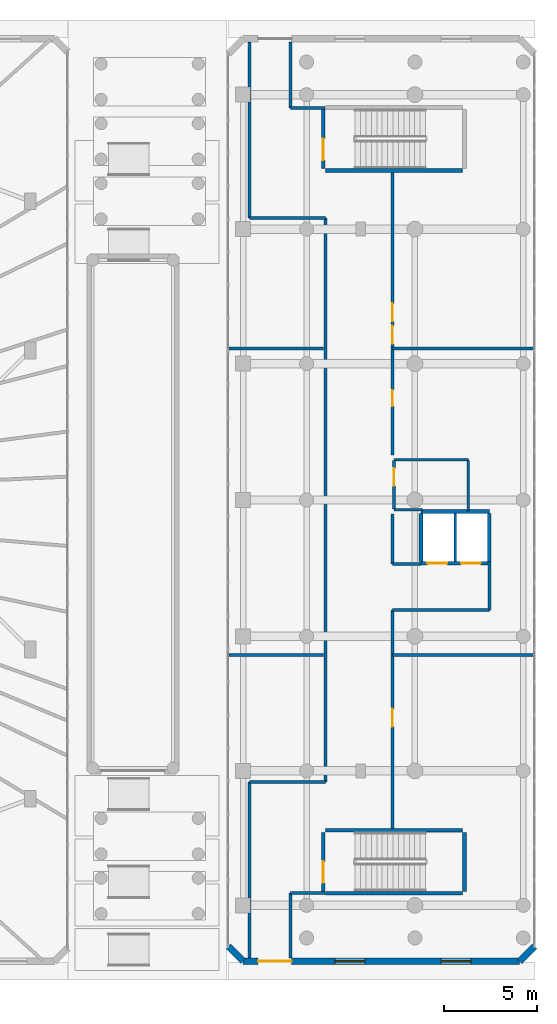
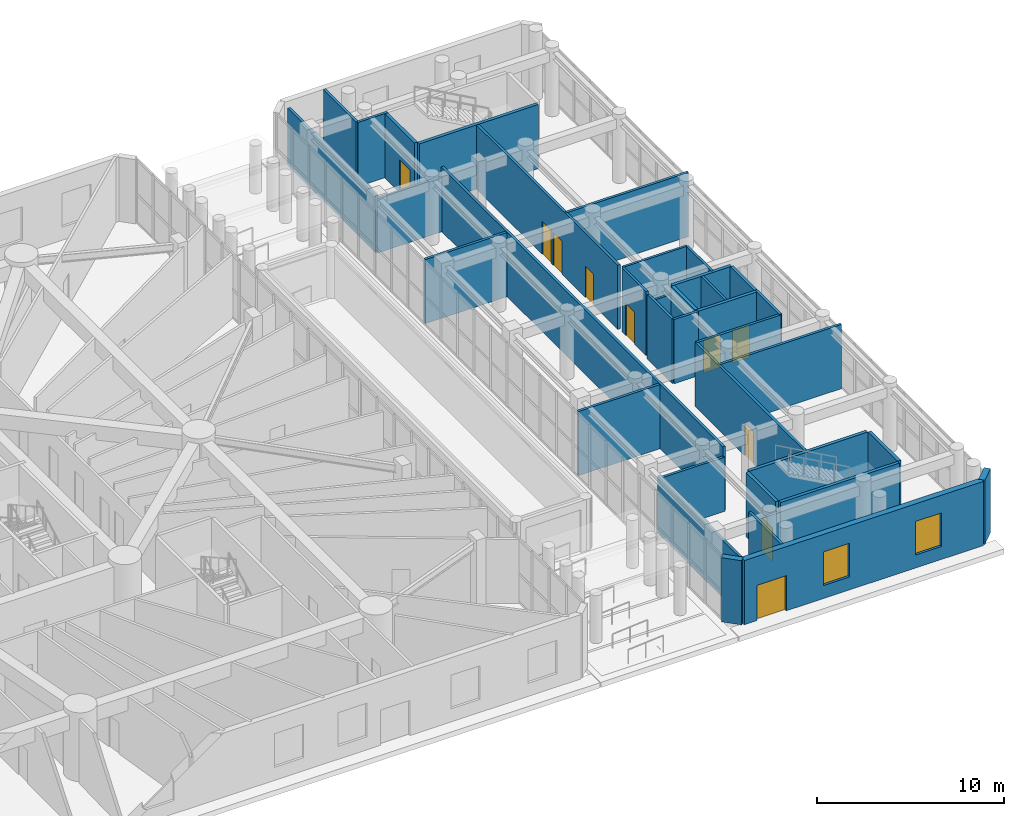
# One storey, part 20 of 30: 37 walls, 10 doors, 2 windows, 12 openings.
"""IFC4 building model written with IfcOpenShell, lengths in metres."""

import ifcopenshell
import ifcopenshell.guid

model = None  # the IFC model being written
_history = None  # IfcOwnerHistory: only IFC2X3 demands one
_inside = {}  # id of a spatial element -> (the spatial element, [elements in it])
_under = {}  # id of a project, library or spatial element -> (it, [spatial elements below it])
_declared = {}  # id of a project -> (the project, [libraries it declares])
_typed = {}  # id of a type object -> (the type object, [elements of that type])
_made_of = {}  # id of a material, layer set ... -> (it, [elements and type objects made of it])


def new_model(schema):
    """Start an empty IFC model of exactly this schema.

    Asked for "IFC4X3", IfcOpenShell would pick the latest addendum, in which some entities
    have other attributes; the version numbers below select the first issue.
    IFC2X3 requires an IfcOwnerHistory on every rooted entity: one is made here for all.
    """
    global model, _history
    if schema == "IFC4X3":
        model = ifcopenshell.file(schema_version=(4, 3, 0, 0))
    else:
        model = ifcopenshell.file(schema=schema)
    _inside.clear()
    _under.clear()
    _declared.clear()
    _typed.clear()
    _made_of.clear()
    _history = None
    if model.schema == "IFC2X3":
        org = make("IfcOrganization", Name="unknown")
        user = make(
            "IfcPersonAndOrganization",
            ThePerson=make("IfcPerson", FamilyName="unknown"),
            TheOrganization=org,
        )
        app = make(
            "IfcApplication",
            ApplicationDeveloper=org,
            Version="unknown",
            ApplicationFullName="unknown",
            ApplicationIdentifier="unknown",
        )
        _history = make(
            "IfcOwnerHistory",
            OwningUser=user,
            OwningApplication=app,
            ChangeAction="ADDED",
            CreationDate=0,
        )
    return model


def make(cls, **values):
    """One entity of the class cls with the attributes given. An attribute that is None is left unset."""
    return model.create_entity(
        cls, **{name: value for name, value in values.items() if value is not None}
    )


def rooted(cls, **values):
    """An entity with a GlobalId (a new one), such as an element, a storey or a relation."""
    return make(cls, GlobalId=ifcopenshell.guid.new(), OwnerHistory=_history, **values)


def si_unit(unit_type, name, prefix=None):
    """IfcSIUnit, for example si_unit("LENGTHUNIT", "METRE", prefix="MILLI")."""
    return make("IfcSIUnit", UnitType=unit_type, Prefix=prefix, Name=name)


def assignment(units):
    """IfcUnitAssignment: the units of a project."""
    return None if units is None else make("IfcUnitAssignment", Units=units)


def point(xyz):
    """IfcCartesianPoint."""
    return None if xyz is None else make("IfcCartesianPoint", Coordinates=xyz)


def direction(xyz):
    """IfcDirection."""
    return None if xyz is None else make("IfcDirection", DirectionRatios=xyz)


def frame(location, z_axis=None, x_axis=None):
    """IfcAxis2Placement3D, a coordinate frame: its origin and axes. An axis left out is left unset."""
    return make(
        "IfcAxis2Placement3D",
        Location=point(location),
        Axis=direction(z_axis),
        RefDirection=direction(x_axis),
    )


def frame_2d(location, x_axis=None):
    """IfcAxis2Placement2D, a coordinate frame in the plane: its origin and x axis."""
    return make(
        "IfcAxis2Placement2D", Location=point(location), RefDirection=direction(x_axis)
    )


def origin():
    """The frame at (0, 0, 0) with its axes left unset."""
    return frame((0.0, 0.0, 0.0))


def origin_with_axes():
    """The frame at (0, 0, 0) with the z axis (0, 0, 1) and the x axis (1, 0, 0) written out."""
    return frame((0.0, 0.0, 0.0), z_axis=(0.0, 0.0, 1.0), x_axis=(1.0, 0.0, 0.0))


def place(relative_to, where):
    """IfcLocalPlacement: puts the frame where relative to a parent placement (None: the world)."""
    return make(
        "IfcLocalPlacement", PlacementRelTo=relative_to, RelativePlacement=where
    )


def context(
    kind, dimensions, precision=None, world=None, true_north=None, identifier=None
):
    """IfcGeometricRepresentationContext, for example the 3D "Model" context."""
    return make(
        "IfcGeometricRepresentationContext",
        ContextIdentifier=identifier,
        ContextType=kind,
        CoordinateSpaceDimension=dimensions,
        Precision=precision,
        WorldCoordinateSystem=world,
        TrueNorth=true_north,
    )


def subcontext(parent, identifier, kind, view, scale=None):
    """IfcGeometricRepresentationSubContext, for example "Body" below "Model"."""
    return make(
        "IfcGeometricRepresentationSubContext",
        ContextIdentifier=identifier,
        ContextType=kind,
        ParentContext=parent,
        TargetScale=scale,
        TargetView=view,
    )


def project(units=None, contexts=None):
    """IfcProject with its units and contexts."""
    return rooted(
        "IfcProject",
        Name="project",
        RepresentationContexts=contexts,
        UnitsInContext=assignment(units),
    )


def spatial(cls, under=None, at=None, **own):
    """A site, building, storey or space (cls), placed at a placement, below another one or the project."""
    s = rooted(cls, ObjectPlacement=at, **own)
    if under is not None:
        _under.setdefault(under.id(), (under, []))[1].append(s)
    return s


def profile(cls, at=None, kind="AREA", **sizes):
    """A parametric profile (cls). Its sizes go by their IFC names, for example OverallWidth=200.0."""
    return make(cls, ProfileType=kind, Position=at, **sizes)


def rectangle(**sizes):
    """IfcRectangleProfileDef."""
    return profile("IfcRectangleProfileDef", **sizes)


def extrude(swept, where, along, depth):
    """IfcExtrudedAreaSolid: the profile swept, set in the frame where, extruded along a direction by depth."""
    return make(
        "IfcExtrudedAreaSolid",
        SweptArea=swept,
        Position=where,
        ExtrudedDirection=direction(along),
        Depth=depth,
    )


def shape(context_of_items, identifier, shape_type, items):
    """IfcShapeRepresentation: the items that make up one representation, for example the "Body"."""
    return make(
        "IfcShapeRepresentation",
        ContextOfItems=context_of_items,
        RepresentationIdentifier=identifier,
        RepresentationType=shape_type,
        Items=items,
    )


def source(mapping_origin, context_of_items, identifier, shape_type, items):
    """IfcRepresentationMap: a shape defined once, which mapped items show again and again."""
    return make(
        "IfcRepresentationMap",
        MappingOrigin=mapping_origin,
        MappedRepresentation=shape(context_of_items, identifier, shape_type, items),
    )


def transform(
    local_origin,
    x_axis=None,
    y_axis=None,
    z_axis=None,
    scale=None,
    scale2=None,
    scale3=None,
    uniform=True,
):
    """IfcCartesianTransformationOperator3D, or its non-uniform kind. x_axis, y_axis, z_axis: its Axis1, 2, 3."""
    if uniform:
        return make(
            "IfcCartesianTransformationOperator3D",
            Axis1=direction(x_axis),
            Axis2=direction(y_axis),
            LocalOrigin=point(local_origin),
            Scale=scale,
            Axis3=direction(z_axis),
        )
    return make(
        "IfcCartesianTransformationOperator3DnonUniform",
        Axis1=direction(x_axis),
        Axis2=direction(y_axis),
        LocalOrigin=point(local_origin),
        Scale=scale,
        Axis3=direction(z_axis),
        Scale2=scale2,
        Scale3=scale3,
    )


def mapped(mapping_source, mapping_target):
    """IfcMappedItem: shows the shape of a source again, moved by a transform."""
    return make(
        "IfcMappedItem", MappingSource=mapping_source, MappingTarget=mapping_target
    )


def material(Name=None, Category=None):
    """IfcMaterial."""
    return make("IfcMaterial", Name=Name, Category=Category)


def layer(
    of_material, thickness, ventilated=None, Name=None, Category=None, Priority=None
):
    """IfcMaterialLayer: one layer of a wall or slab, of a material (None: an air gap)."""
    return make(
        "IfcMaterialLayer",
        Material=of_material,
        LayerThickness=thickness,
        IsVentilated=ventilated,
        Name=Name,
        Category=Category,
        Priority=Priority,
    )


def layer_set(layers, Name=None):
    """IfcMaterialLayerSet."""
    return make("IfcMaterialLayerSet", MaterialLayers=layers, LayerSetName=Name)


def made_of(thing, what):
    """Note that an element or type object is made of a material, layer set ...; save() writes the relation."""
    if what is not None:
        _made_of.setdefault(what.id(), (what, []))[1].append(thing)
    return thing


def type_object(cls, material=None, **own):
    """A type object (cls), such as IfcWallType, which elements share."""
    return made_of(rooted(cls, **own), material)


def element(
    cls,
    number,
    at=None,
    inside=None,
    cuts=None,
    type_object=None,
    material=None,
    context=None,
    identifier="Body",
    shape_type=None,
    held_by="IfcProductDefinitionShape",
    body=None,
    shapes=None,
    **own,
):
    """One element of the class cls, such as IfcWall. Its Tag is "e" and its number.

    at: its placement. inside: the storey or other place that contains it. cuts: it is an
    opening in that element (IfcRelVoidsElement). A single representation is given by context,
    identifier, shape_type and body (its items); several are given by shapes. held_by: the class
    of the entity that holds the representations. save() writes the other relations.
    """
    e = rooted(cls, Tag="e%d" % number, ObjectPlacement=at, **own)
    if body is not None:
        shapes = [shape(context, identifier, shape_type, body)]
    if shapes is not None:
        e.Representation = make(held_by, Representations=shapes)
    if inside is not None:
        _inside.setdefault(inside.id(), (inside, []))[1].append(e)
    if cuts is not None:
        rooted(
            "IfcRelVoidsElement", RelatingBuildingElement=cuts, RelatedOpeningElement=e
        )
    if type_object is not None:
        _typed.setdefault(type_object.id(), (type_object, []))[1].append(e)
    return made_of(e, material)


def fill(opening, filler):
    """IfcRelFillsElement: the door or window that sits in an opening."""
    return rooted(
        "IfcRelFillsElement",
        RelatingOpeningElement=opening,
        RelatedBuildingElement=filler,
    )


def aggregate(whole, parts):
    """IfcRelAggregates: a whole, such as a stair, and the parts it consists of."""
    return rooted("IfcRelAggregates", RelatingObject=whole, RelatedObjects=parts)


def save(model, path):
    """Write the relations noted so far, then the file.

    IfcRelAggregates (storeys below a building ...), IfcRelContainedInSpatialStructure (elements
    in a storey), IfcRelDefinesByType, IfcRelAssociatesMaterial and IfcRelDeclares: one each for
    every whole, place, type object, material and project.
    """
    for whole, parts in _under.values():
        aggregate(whole, parts)
    for where, things in _inside.values():
        rooted(
            "IfcRelContainedInSpatialStructure",
            RelatedElements=things,
            RelatingStructure=where,
        )
    for kind, things in _typed.values():
        rooted("IfcRelDefinesByType", RelatedObjects=things, RelatingType=kind)
    for what, things in _made_of.values():
        rooted("IfcRelAssociatesMaterial", RelatedObjects=things, RelatingMaterial=what)
    for by, libraries in _declared.values():
        rooted("IfcRelDeclares", RelatingContext=by, RelatedDefinitions=libraries)
    model.write(path)


model = new_model("IFC4")

# Units and contexts
model_context = context("Model", 3, precision=1e-05, world=origin(), true_north=direction((0.0, 1.0)))
body_context = subcontext(model_context, "Body", "Model", "MODEL_VIEW")
ifc_project = project(units=[si_unit("LENGTHUNIT", "METRE"), si_unit("AREAUNIT", "SQUARE_METRE"), si_unit("VOLUMEUNIT", "CUBIC_METRE"), si_unit("PLANEANGLEUNIT", "RADIAN"), si_unit("MASSUNIT", "GRAM", prefix="KILO")], contexts=[model_context])

# Site, building, storey
site_placement = place(None, origin())
site = spatial("IfcSite", under=ifc_project, at=site_placement, CompositionType="ELEMENT")
building_placement = place(site_placement, origin())
building = spatial("IfcBuilding", under=site, at=building_placement, Name="Karkom Vertical University and Central Library", CompositionType="ELEMENT")
storey_placement = place(building_placement, origin())
storey = spatial("IfcBuildingStorey", under=building, at=storey_placement, Name="L00", CompositionType="ELEMENT", Elevation=0.0)

# Wall, openings, door, windows
ifc_material_1 = material(Name="Brick masonry 360mm insulated cavity", Category="masonry")
ifc_layer_1 = layer(ifc_material_1, 0.360107421875)
ifc_layer_set_1 = layer_set([ifc_layer_1], Name="Brick masonry 360mm insulated cavity")
wall_type_1 = type_object("IfcWallType", Name="ENV-WL-BRK-360", PredefinedType="SOLIDWALL", material=ifc_layer_set_1)
wall_1_placement = place(storey_placement, frame((81.0, 1.800048828125, 0.0), z_axis=(0.0, 0.0, 1.0), x_axis=(-1.0, 0.0, 0.0)))
wall_1 = element("IfcWall", 1, at=wall_1_placement, inside=storey, type_object=wall_type_1, Name="Level 00 LIB Terracotta Brick Facade Wall 01", PredefinedType="SOLIDWALL", context=body_context, shape_type="SweptSolid", body=[
    extrude(rectangle(XDim=14.800048828125, YDim=0.360107421875, at=frame_2d((7.39990234375, 0.0))), origin(), (0.0, 0.0, 1.0), 4.199951171875),
])
opening_1_placement = place(wall_1_placement, frame((8.284912109375, 0.0, 0.85009765625)))
opening_1 = element("IfcOpeningElement", 2, at=opening_1_placement, cuts=wall_1, Name="Opening WN-02", PredefinedType="OPENING", context=body_context, shape_type="SweptSolid", body=[
    extrude(rectangle(XDim=1.60009765625, YDim=2.199951171875, at=frame_2d((0.800048828125, 1.10009765625))), frame((0.0, 0.18994140625, 0.0), z_axis=(0.0, -1.0, 0.0), x_axis=(1.0, 0.0, 0.0)), (0.0, 0.0, 1.0), 0.380126953125),
])
opening_2_placement = place(wall_1_placement, frame((2.594970703125, 0.0, 0.85009765625)))
opening_2 = element("IfcOpeningElement", 3, at=opening_2_placement, cuts=wall_1, Name="Opening WN-02", PredefinedType="OPENING", context=body_context, shape_type="SweptSolid", body=[
    extrude(rectangle(XDim=1.60009765625, YDim=2.199951171875, at=frame_2d((0.800048828125, 1.10009765625))), frame((0.0, 0.18994140625, 0.0), z_axis=(0.0, -1.0, 0.0), x_axis=(1.0, 0.0, 0.0)), (0.0, 0.0, 1.0), 0.380126953125),
])
opening_3_placement = place(wall_1_placement, frame((12.199951171875, 0.0, 0.0)))
opening_3 = element("IfcOpeningElement", 4, at=opening_3_placement, cuts=wall_1, Name="Opening ED-1", PredefinedType="OPENING", context=body_context, shape_type="SweptSolid", body=[
    extrude(rectangle(XDim=1.800048828125, YDim=2.300048828125, at=frame_2d((0.89990234375, 1.14990234375))), frame((0.0, 0.18994140625, 0.0), z_axis=(0.0, -1.0, 0.0), x_axis=(1.0, 0.0, 0.0)), (0.0, 0.0, 1.0), 0.380126953125),
])
ifc_material_2 = material(Name="Thermally broken glazed steel exit door", Category="steel")
door_type_1 = type_object("IfcDoorType", Name="ENV-DR-ED1", OperationType="DOUBLE_DOOR_SINGLE_SWING", PredefinedType="DOOR", material=ifc_material_2)
shared_shape_1 = source(origin_with_axes(), body_context, "Body", "SweptSolid", [
    extrude(rectangle(XDim=1.800048828125, YDim=2.300048828125, at=frame_2d((0.89990234375, 1.14990234375))), frame((0.0, 0.02490234375, 0.0), z_axis=(0.0, -1.0, 0.0), x_axis=(1.0, 0.0, 0.0)), (0.0, 0.0, 1.0), 0.050048828125),
])
door_1_placement = place(opening_3_placement, origin())
door_1 = element("IfcDoor", 5, at=door_1_placement, inside=storey, type_object=door_type_1, Name="Level 00 Final Ground Exit Door LIB-ED1", OperationType="DOUBLE_DOOR_SINGLE_SWING", OverallHeight=2.300048828125, OverallWidth=1.800048828125, PredefinedType="DOOR", context=body_context, shape_type="MappedRepresentation", body=[
    mapped(shared_shape_1, transform((0.0, 0.0, 0.0), scale=1.0)),
])
fill(opening_3, door_1)
ifc_material_3 = material(Name="Aluminium thermal-break frame with solar-control IGU", Category="aluminium")
window_type = type_object("IfcWindowType", Name="ENV-WIN-WN-02", PartitioningType="SINGLE_PANEL", PredefinedType="WINDOW", material=ifc_material_3)
shared_shape_2 = source(origin_with_axes(), body_context, "Body", "SweptSolid", [
    extrude(rectangle(XDim=1.60009765625, YDim=2.199951171875, at=frame_2d((0.800048828125, 1.10009765625))), frame((0.0, 0.030029296875, 0.0), z_axis=(0.0, -1.0, 0.0), x_axis=(1.0, 0.0, 0.0)), (0.0, 0.0, 1.0), 0.06005859375),
])
window_1_placement = place(opening_1_placement, origin())
window_1 = element("IfcWindow", 6, at=window_1_placement, inside=storey, type_object=window_type, Name="Level 00 LIB Punched Window 01", OverallHeight=2.199951171875, OverallWidth=1.60009765625, PartitioningType="SINGLE_PANEL", PredefinedType="WINDOW", context=body_context, shape_type="MappedRepresentation", body=[
    mapped(shared_shape_2, transform((0.0, 0.0, 0.0), scale=1.0)),
])
fill(opening_1, window_1)
window_2_placement = place(opening_2_placement, origin())
window_2 = element("IfcWindow", 7, at=window_2_placement, inside=storey, type_object=window_type, Name="Level 00 LIB Punched Window 02", OverallHeight=2.199951171875, OverallWidth=1.60009765625, PartitioningType="SINGLE_PANEL", PredefinedType="WINDOW", context=body_context, shape_type="MappedRepresentation", body=[
    mapped(shared_shape_2, transform((0.0, 0.0, 0.0), scale=1.0)),
])
fill(opening_2, window_2)

# Walls
for number, where, z_axis, x_axis, name in (
    (8, (81.0, 1.800048828125, 0.0), (0.0, 0.0, 1.0), (0.707106781187, 0.707106781187, 0.0), "Level 00 LIB Terracotta Brick Facade Wall 02"),
    (9, (65.39990234375, 2.60009765625, 0.0), (0.0, 0.0, 1.0), (0.707106781187, -0.707106781187, 0.0), "Level 00 LIB Terracotta Brick Facade Wall 08"),
):
    element("IfcWall", number, at=place(storey_placement, frame(where, z_axis=z_axis, x_axis=x_axis)), inside=storey, type_object=wall_type_1, Name=name, PredefinedType="SOLIDWALL", context=body_context, shape_type="SweptSolid", body=[
        extrude(rectangle(XDim=1.13134765625, YDim=0.360107421875, at=frame_2d((0.565673828125, 0.0))), origin(), (0.0, 0.0, 1.0), 4.199951171875),
    ])
ifc_material_4 = material(Name="Insulated metal-stud drywall 160mm", Category="gypsum")
ifc_layer_2 = layer(ifc_material_4, 0.159912109375)
ifc_layer_set_2 = layer_set([ifc_layer_2], Name="Insulated metal-stud drywall 160mm")
wall_type_2 = type_object("IfcWallType", Name="INT-WL-COR-160", PredefinedType="PARTITIONING", material=ifc_layer_set_2)
for number, where, z_axis, x_axis, name in (
    (10, (74.199951171875, 18.199951171875, 0.0), (0.0, 0.0, 1.0), (1.0, 0.0, 0.0), "Level 00 Interior Partition Wall L00-LW-DIV1E"),
    (11, (74.199951171875, 34.60009765625, 0.0), (0.0, 0.0, 1.0), (1.0, 0.0, 0.0), "Level 00 Interior Partition Wall L00-LW-DIV2E"),
):
    element("IfcWall", number, at=place(storey_placement, frame(where, z_axis=z_axis, x_axis=x_axis)), inside=storey, type_object=wall_type_2, Name=name, PredefinedType="PARTITIONING", context=body_context, shape_type="SweptSolid", body=[
        extrude(rectangle(XDim=7.545166015625, YDim=0.159912109375, at=frame_2d((3.7724609375, 0.0))), origin(), (0.0, 0.0, 1.0), 4.199951171875),
    ])
for number, where, z_axis, x_axis, name in (
    (12, (65.455078125, 18.199951171875, 0.0), (0.0, 0.0, 1.0), (1.0, 0.0, 0.0), "Level 00 Interior Partition Wall L00-LW-DIV1"),
    (13, (65.455078125, 34.60009765625, 0.0), (0.0, 0.0, 1.0), (1.0, 0.0, 0.0), "Level 00 Interior Partition Wall L00-LW-DIV2"),
):
    element("IfcWall", number, at=place(storey_placement, frame(where, z_axis=z_axis, x_axis=x_axis)), inside=storey, type_object=wall_type_2, Name=name, PredefinedType="PARTITIONING", context=body_context, shape_type="SweptSolid", body=[
        extrude(rectangle(XDim=5.06005859375, YDim=0.159912109375, at=frame_2d((2.530029296875, 0.0))), origin(), (0.0, 0.0, 1.0), 4.199951171875),
    ])
ifc_layer_3 = layer(ifc_material_4, 0.159912109375)
ifc_layer_set_3 = layer_set([ifc_layer_3], Name="Insulated metal-stud drywall 160mm")
wall_type_3 = type_object("IfcWallType", Name="INT-WL-COR-160F", PredefinedType="PARTITIONING", material=ifc_layer_set_3)
wall_2_placement = place(storey_placement, frame((70.60009765625, 11.39990234375, 0.0), z_axis=(0.0, 0.0, 1.0), x_axis=(0.0, 1.0, 0.0)))
element("IfcWall", 14, at=wall_2_placement, inside=storey, type_object=wall_type_3, Name="Level 00 Interior Partition Wall L00-LBCW-CW-002", PredefinedType="PARTITIONING", context=body_context, shape_type="SweptSolid", body=[
    extrude(rectangle(XDim=30.2001953125, YDim=0.159912109375, at=frame_2d((15.10009765625, 0.0))), origin(), (0.0, 0.0, 1.0), 4.199951171875),
])

# Wall, openings, doors
wall_3_placement = place(storey_placement, frame((74.199951171875, 44.0380859375, 0.0), z_axis=(0.0, 0.0, 1.0), x_axis=(0.0, -1.0, 0.0)))
wall_3 = element("IfcWall", 15, at=wall_3_placement, inside=storey, type_object=wall_type_3, Name="Level 00 Interior Partition Wall L00-LBCW-CW-007", PredefinedType="PARTITIONING", context=body_context, shape_type="SweptSolid", body=[
    extrude(rectangle(XDim=15.13818359375, YDim=0.159912109375, at=frame_2d((7.569091796875, 0.0))), origin(), (0.0, 0.0, 1.0), 4.199951171875),
])
opening_4_placement = place(wall_3_placement, frame((8.215576171875, 0.0, 0.0)))
opening_4 = element("IfcOpeningElement", 16, at=opening_4_placement, cuts=wall_3, Name="Opening FD-RM2", PredefinedType="OPENING", context=body_context, shape_type="SweptSolid", body=[
    extrude(rectangle(XDim=0.9599609375, YDim=2.14990234375, at=frame_2d((0.47998046875, 1.074951171875))), frame((0.0, 0.08984375, 0.0), z_axis=(0.0, -1.0, 0.0), x_axis=(1.0, 0.0, 0.0)), (0.0, 0.0, 1.0), 0.179931640625),
])
opening_5_placement = place(wall_3_placement, frame((7.010009765625, 0.0, 0.0)))
opening_5 = element("IfcOpeningElement", 17, at=opening_5_placement, cuts=wall_3, Name="Opening FD-RM2", PredefinedType="OPENING", context=body_context, shape_type="SweptSolid", body=[
    extrude(rectangle(XDim=0.9599609375, YDim=2.14990234375, at=frame_2d((0.47998046875, 1.074951171875))), frame((0.0, 0.08984375, 0.0), z_axis=(0.0, -1.0, 0.0), x_axis=(1.0, 0.0, 0.0)), (0.0, 0.0, 1.0), 0.179931640625),
])
opening_6_placement = place(wall_3_placement, frame((11.657958984375, 0.0, 0.0)))
opening_6 = element("IfcOpeningElement", 18, at=opening_6_placement, cuts=wall_3, Name="Opening FD-BTH2", PredefinedType="OPENING", context=body_context, shape_type="SweptSolid", body=[
    extrude(rectangle(XDim=0.860107421875, YDim=2.0400390625, at=frame_2d((0.43017578125, 1.02001953125))), frame((0.0, 0.08984375, 0.0), z_axis=(0.0, -1.0, 0.0), x_axis=(1.0, 0.0, 0.0)), (0.0, 0.0, 1.0), 0.179931640625),
])
ifc_material_5 = material(Name="Fire-rated oak veneer door", Category="wood")
door_type_2 = type_object("IfcDoorType", Name="INT-DR-FRM2", OperationType="NOTDEFINED", PredefinedType="DOOR", material=ifc_material_5)
shared_shape_3 = source(origin_with_axes(), body_context, "Body", "SweptSolid", [
    extrude(rectangle(XDim=0.9599609375, YDim=2.14990234375, at=frame_2d((0.47998046875, 1.074951171875))), frame((0.0, 0.02490234375, 0.0), z_axis=(0.0, -1.0, 0.0), x_axis=(1.0, 0.0, 0.0)), (0.0, 0.0, 1.0), 0.050048828125),
])
door_2_placement = place(opening_4_placement, origin())
door_2 = element("IfcDoor", 19, at=door_2_placement, inside=storey, type_object=door_type_2, Name="Level 00 Room Entry Door 902", OperationType="SINGLE_SWING_LEFT", OverallHeight=2.14990234375, OverallWidth=0.9599609375, PredefinedType="DOOR", context=body_context, shape_type="MappedRepresentation", body=[
    mapped(shared_shape_3, transform((0.0, 0.0, 0.0), scale=1.0)),
])
fill(opening_4, door_2)
door_3_placement = place(opening_5_placement, origin())
door_3 = element("IfcDoor", 20, at=door_3_placement, inside=storey, type_object=door_type_2, Name="Level 00 Room Entry Door 903", OperationType="SINGLE_SWING_RIGHT", OverallHeight=2.14990234375, OverallWidth=0.9599609375, PredefinedType="DOOR", context=body_context, shape_type="MappedRepresentation", body=[
    mapped(shared_shape_3, transform((0.0, 0.0, 0.0), scale=1.0)),
])
fill(opening_5, door_3)
ifc_material_6 = material(Name="Fire-rated moisture-resistant oak door", Category="wood")
door_type_3 = type_object("IfcDoorType", Name="INT-DR-FBTH2", OperationType="NOTDEFINED", PredefinedType="DOOR", material=ifc_material_6)
shared_shape_4 = source(origin_with_axes(), body_context, "Body", "SweptSolid", [
    extrude(rectangle(XDim=0.860107421875, YDim=2.0400390625, at=frame_2d((0.43017578125, 1.02001953125))), frame((0.0, 0.02490234375, 0.0), z_axis=(0.0, -1.0, 0.0), x_axis=(1.0, 0.0, 0.0)), (0.0, 0.0, 1.0), 0.050048828125),
])
door_4_placement = place(opening_6_placement, origin())
door_4 = element("IfcDoor", 21, at=door_4_placement, inside=storey, type_object=door_type_3, Name="Level 00 L00 Open Reference Book Stacks Office Entry Door", OperationType="SINGLE_SWING_LEFT", OverallHeight=2.0400390625, OverallWidth=0.860107421875, PredefinedType="DOOR", context=body_context, shape_type="MappedRepresentation", body=[
    mapped(shared_shape_4, transform((0.0, 0.0, 0.0), scale=1.0)),
])
fill(opening_6, door_4)

# Wall, opening, door
wall_4_placement = place(storey_placement, frame((74.199951171875, 20.60009765625, 0.0), z_axis=(0.0, 0.0, 1.0), x_axis=(0.0, -1.0, 0.0)))
wall_4 = element("IfcWall", 22, at=wall_4_placement, inside=storey, type_object=wall_type_3, Name="Level 00 Interior Partition Wall L00-LBCW-CW-012", PredefinedType="PARTITIONING", context=body_context, shape_type="SweptSolid", body=[
    extrude(rectangle(XDim=11.677978515625, YDim=0.159912109375, at=frame_2d((5.8388671875, 0.0))), origin(), (0.0, 0.0, 1.0), 4.199951171875),
])
opening_7_placement = place(wall_4_placement, frame((5.280029296875, 0.0, 0.0)))
opening_7 = element("IfcOpeningElement", 23, at=opening_7_placement, cuts=wall_4, Name="Opening FD-RM2", PredefinedType="OPENING", context=body_context, shape_type="SweptSolid", body=[
    extrude(rectangle(XDim=0.9599609375, YDim=2.14990234375, at=frame_2d((0.47998046875, 1.074951171875))), frame((0.0, 0.08984375, 0.0), z_axis=(0.0, -1.0, 0.0), x_axis=(1.0, 0.0, 0.0)), (0.0, 0.0, 1.0), 0.179931640625),
])
door_5_placement = place(opening_7_placement, origin())
door_5 = element("IfcDoor", 24, at=door_5_placement, inside=storey, type_object=door_type_2, Name="Level 00 Room Entry Door 901", OperationType="SINGLE_SWING_RIGHT", OverallHeight=2.14990234375, OverallWidth=0.9599609375, PredefinedType="DOOR", context=body_context, shape_type="MappedRepresentation", body=[
    mapped(shared_shape_3, transform((0.0, 0.0, 0.0), scale=1.0)),
])
fill(opening_7, door_5)

# Walls
for number, where, z_axis, x_axis, name in (
    (25, (66.550048828125, 41.60009765625, 0.0), (0.0, 0.0, 1.0), (0.0, 1.0, 0.0), "Level 00 Interior Partition Wall L00-LBCW-CW-004"),
    (26, (66.550048828125, 1.965087890625, 0.0), (0.0, 0.0, 1.0), (0.0, 1.0, 0.0), "Level 00 Interior Partition Wall L00-LBCW-CW-015"),
):
    element("IfcWall", number, at=place(storey_placement, frame(where, z_axis=z_axis, x_axis=x_axis)), inside=storey, type_object=wall_type_3, Name=name, PredefinedType="PARTITIONING", context=body_context, shape_type="SweptSolid", body=[
        extrude(rectangle(XDim=9.434814453125, YDim=0.159912109375, at=frame_2d((4.71728515625, 0.0))), origin(), (0.0, 0.0, 1.0), 3.75),
    ])
wall_5_placement = place(storey_placement, frame((79.39990234375, 20.60009765625, 0.0), z_axis=(0.0, 0.0, 1.0), x_axis=(-1.0, 0.0, 0.0)))
element("IfcWall", 27, at=wall_5_placement, inside=storey, type_object=wall_type_3, Name="Level 00 Interior Partition Wall L00-LBCW-CW-011", PredefinedType="PARTITIONING", context=body_context, shape_type="SweptSolid", body=[
    extrude(rectangle(XDim=5.199951171875, YDim=0.159912109375, at=frame_2d((2.60009765625, 0.0))), origin(), (0.0, 0.0, 1.0), 4.199951171875),
])
for number, where, z_axis, x_axis, name in (
    (28, (66.550048828125, 11.39990234375, 0.0), (0.0, 0.0, 1.0), (1.0, 0.0, 0.0), "Level 00 Interior Partition Wall L00-LBCW-CW-001"),
    (29, (70.60009765625, 41.60009765625, 0.0), (0.0, 0.0, 1.0), (-1.0, 0.0, 0.0), "Level 00 Interior Partition Wall L00-LBCW-CW-003"),
):
    element("IfcWall", number, at=place(storey_placement, frame(where, z_axis=z_axis, x_axis=x_axis)), inside=storey, type_object=wall_type_3, Name=name, PredefinedType="PARTITIONING", context=body_context, shape_type="SweptSolid", body=[
        extrude(rectangle(XDim=4.050048828125, YDim=0.159912109375, at=frame_2d((2.02490234375, 0.0))), origin(), (0.0, 0.0, 1.0), 3.550048828125),
    ])
wall_6_placement = place(storey_placement, frame((68.75, 51.034912109375, 0.0), z_axis=(0.0, 0.0, 1.0), x_axis=(0.0, -1.0, 0.0)))
element("IfcWall", 30, at=wall_6_placement, inside=storey, type_object=wall_type_3, Name="Level 00 Interior Partition Wall L00-LBCW-CW-005", PredefinedType="PARTITIONING", context=body_context, shape_type="SweptSolid", body=[
    extrude(rectangle(XDim=3.534912109375, YDim=0.159912109375, at=frame_2d((1.767578125, 0.0))), origin(), (0.0, 0.0, 1.0), 4.199951171875),
])
wall_7_placement = place(storey_placement, frame((68.75, 5.449951171875, 0.0), z_axis=(0.0, 0.0, 1.0), x_axis=(0.0, -1.0, 0.0)))
element("IfcWall", 31, at=wall_7_placement, inside=storey, type_object=wall_type_3, Name="Level 00 Interior Partition Wall L00-LBCW-CW-014", PredefinedType="PARTITIONING", context=body_context, shape_type="SweptSolid", body=[
    extrude(rectangle(XDim=3.48486328125, YDim=0.159912109375, at=frame_2d((1.742431640625, 0.0))), origin(), (0.0, 0.0, 1.0), 4.199951171875),
])
wall_8_placement = place(storey_placement, frame((74.199951171875, 25.739990234375, 0.0), z_axis=(0.0, 0.0, 1.0), x_axis=(0.0, -1.0, 0.0)))
element("IfcWall", 32, at=wall_8_placement, inside=storey, type_object=wall_type_3, Name="Level 00 Interior Partition Wall L00-LBCW-CW-008", PredefinedType="PARTITIONING", context=body_context, shape_type="SweptSolid", body=[
    extrude(rectangle(XDim=2.659912109375, YDim=0.159912109375, at=frame_2d((1.330078125, 0.0))), origin(), (0.0, 0.0, 1.0), 4.199951171875),
])
wall_9_placement = place(storey_placement, frame((79.39990234375, 23.215087890625, 0.0), z_axis=(0.0, 0.0, 1.0), x_axis=(0.0, -1.0, 0.0)))
element("IfcWall", 33, at=wall_9_placement, inside=storey, type_object=wall_type_3, Name="Level 00 Interior Partition Wall L00-LBCW-CW-010", PredefinedType="PARTITIONING", context=body_context, shape_type="SweptSolid", body=[
    extrude(rectangle(XDim=2.614990234375, YDim=0.159912109375, at=frame_2d((1.3076171875, 0.0))), origin(), (0.0, 0.0, 1.0), 4.199951171875),
])
wall_10_placement = place(storey_placement, frame((68.75, 47.5, 0.0), z_axis=(0.0, 0.0, 1.0), x_axis=(1.0, 0.0, 0.0)))
element("IfcWall", 34, at=wall_10_placement, inside=storey, type_object=wall_type_3, Name="Level 00 Interior Partition Wall L00-LBCW-CW-006", PredefinedType="PARTITIONING", context=body_context, shape_type="SweptSolid", body=[
    extrude(rectangle(XDim=1.844970703125, YDim=0.159912109375, at=frame_2d((0.92236328125, 0.0))), origin(), (0.0, 0.0, 1.0), 4.199951171875),
])
wall_11_placement = place(storey_placement, frame((70.594970703125, 5.449951171875, 0.0), z_axis=(0.0, 0.0, 1.0), x_axis=(-1.0, 0.0, 0.0)))
element("IfcWall", 35, at=wall_11_placement, inside=storey, type_object=wall_type_3, Name="Level 00 Interior Partition Wall L00-LBCW-CW-013", PredefinedType="PARTITIONING", context=body_context, shape_type="SweptSolid", body=[
    extrude(rectangle(XDim=1.844970703125, YDim=0.159912109375, at=frame_2d((0.92236328125, 0.0))), origin(), (0.0, 0.0, 1.0), 3.550048828125),
])
wall_12_placement = place(storey_placement, frame((74.199951171875, 23.080078125, 0.0), z_axis=(0.0, 0.0, 1.0), x_axis=(1.0, 0.0, 0.0)))
element("IfcWall", 36, at=wall_12_placement, inside=storey, type_object=wall_type_3, Name="Level 00 Interior Partition Wall L00-LBCW-CW-009", PredefinedType="PARTITIONING", context=body_context, shape_type="SweptSolid", body=[
    extrude(rectangle(XDim=1.51513671875, YDim=0.159912109375, at=frame_2d((0.757568359375, 0.0))), origin(), (0.0, 0.0, 1.0), 4.199951171875),
])
ifc_material_7 = material(Name="Metal-stud gypsum partition 140mm", Category="gypsum")
ifc_layer_4 = layer(ifc_material_7, 0.139892578125)
ifc_layer_set_4 = layer_set([ifc_layer_4], Name="Metal-stud gypsum partition 140mm")
wall_type_4 = type_object("IfcWallType", Name="INT-WL-SUB-140", PredefinedType="PARTITIONING", material=ifc_layer_set_4)
wall_13_placement = place(storey_placement, frame((74.280029296875, 28.659912109375, 0.0), z_axis=(0.0, 0.0, 1.0), x_axis=(1.0, 0.0, 0.0)))
element("IfcWall", 37, at=wall_13_placement, inside=storey, type_object=wall_type_4, Name="Level 00 Interior Partition Wall L00-LW-AWC-N", PredefinedType="PARTITIONING", context=body_context, shape_type="SweptSolid", body=[
    extrude(rectangle(XDim=3.97998046875, YDim=0.139892578125, at=frame_2d((1.989990234375, 0.0))), origin(), (0.0, 0.0, 1.0), 4.199951171875),
])
wall_14_placement = place(storey_placement, frame((78.260009765625, 25.919921875, 0.0), z_axis=(0.0, 0.0, 1.0), x_axis=(0.0, 1.0, 0.0)))
element("IfcWall", 38, at=wall_14_placement, inside=storey, type_object=wall_type_4, Name="Level 00 Interior Partition Wall L00-LW-AWC-E", PredefinedType="PARTITIONING", context=body_context, shape_type="SweptSolid", body=[
    extrude(rectangle(XDim=2.7001953125, YDim=0.139892578125, at=frame_2d((1.35009765625, 0.0))), origin(), (0.0, 0.0, 1.0), 4.199951171875),
])

# Wall, opening, door
wall_15_placement = place(storey_placement, frame((74.280029296875, 26.02001953125, 0.0), z_axis=(0.0, 0.0, 1.0), x_axis=(0.0, 1.0, 0.0)))
wall_15 = element("IfcWall", 39, at=wall_15_placement, inside=storey, type_object=wall_type_4, Name="Level 00 Interior Partition Wall L00-LW-AWC-W", PredefinedType="PARTITIONING", context=body_context, shape_type="SweptSolid", body=[
    extrude(rectangle(XDim=2.60009765625, YDim=0.139892578125, at=frame_2d((1.300048828125, 0.0))), origin(), (0.0, 0.0, 1.0), 4.199951171875),
])
opening_8_placement = place(wall_15_placement, frame((1.239990234375, 0.0, 0.0)))
opening_8 = element("IfcOpeningElement", 40, at=opening_8_placement, cuts=wall_15, Name="Opening D-WC1", PredefinedType="OPENING", context=body_context, shape_type="SweptSolid", body=[
    extrude(rectangle(XDim=0.93994140625, YDim=2.10009765625, at=frame_2d((0.469970703125, 1.050048828125))), frame((0.0, 0.080078125, 0.0), z_axis=(0.0, -1.0, 0.0), x_axis=(1.0, 0.0, 0.0)), (0.0, 0.0, 1.0), 0.159912109375),
])
ifc_material_8 = material(Name="Fire-rated laminate moisture-resistant door", Category="wood")
door_type_4 = type_object("IfcDoorType", Name="INT-DR-WC1", OperationType="NOTDEFINED", PredefinedType="DOOR", material=ifc_material_8)
shared_shape_5 = source(origin_with_axes(), body_context, "Body", "SweptSolid", [
    extrude(rectangle(XDim=0.93994140625, YDim=2.10009765625, at=frame_2d((0.469970703125, 1.050048828125))), frame((0.0, 0.02490234375, 0.0), z_axis=(0.0, -1.0, 0.0), x_axis=(1.0, 0.0, 0.0)), (0.0, 0.0, 1.0), 0.050048828125),
])
door_6_placement = place(opening_8_placement, origin())
door_6 = element("IfcDoor", 41, at=door_6_placement, inside=storey, type_object=door_type_4, Name="Level 00 Library Accessible WC Door", OperationType="SINGLE_SWING_LEFT", OverallHeight=2.10009765625, OverallWidth=0.93994140625, PredefinedType="DOOR", context=body_context, shape_type="MappedRepresentation", body=[
    mapped(shared_shape_5, transform((0.0, 0.0, 0.0), scale=1.0)),
])
fill(opening_8, door_6)

# Walls
wall_16_placement = place(storey_placement, frame((74.280029296875, 25.97998046875, 0.0), z_axis=(0.0, 0.0, 1.0), x_axis=(1.0, 0.0, 0.0)))
element("IfcWall", 42, at=wall_16_placement, inside=storey, type_object=wall_type_4, Name="Level 00 Interior Partition Wall L00-LW-AWC-S", PredefinedType="PARTITIONING", context=body_context, shape_type="SweptSolid", body=[
    extrude(rectangle(XDim=1.52001953125, YDim=0.139892578125, at=frame_2d((0.760009765625, 0.0))), origin(), (0.0, 0.0, 1.0), 3.550048828125),
])
ifc_layer_5 = layer(ifc_material_7, 0.139892578125)
ifc_layer_set_5 = layer_set([ifc_layer_5], Name="Metal-stud gypsum partition 140mm")
wall_type_5 = type_object("IfcWallType", Name="INT-WL-SUB-140H", PredefinedType="PARTITIONING", material=ifc_layer_set_5)
wall_17_placement = place(storey_placement, frame((77.550048828125, 23.219970703125, 0.0), z_axis=(0.0, 0.0, 1.0), x_axis=(0.0, 1.0, 0.0)))
element("IfcWall", 43, at=wall_17_placement, inside=storey, type_object=wall_type_5, Name="Level 00 Interior Partition Wall L00-W-LL-M", PredefinedType="PARTITIONING", context=body_context, shape_type="SweptSolid", body=[
    extrude(rectangle(XDim=2.56005859375, YDim=0.139892578125, at=frame_2d((1.280029296875, 0.0))), origin(), (0.0, 0.0, 1.0), 4.199951171875),
])
ifc_material_9 = material(Name="Concrete C45/55", Category="concrete")
ifc_layer_6 = layer(ifc_material_9, 0.199951171875)
ifc_layer_set_6 = layer_set([ifc_layer_6], Name="Concrete C45/55")
wall_type_6 = type_object("IfcWallType", Name="STR-WL-ST-200", PredefinedType="SHEAR", material=ifc_layer_set_6)
for number, where, z_axis, x_axis, name in (
    (44, (70.60009765625, 5.445068359375, 0.0), (0.0, 0.0, 1.0), (1.0, 0.0, 0.0), "Level 00 Core Shaft Wall L00-W-LST1-S"),
    (45, (70.60009765625, 8.81494140625, 0.0), (0.0, 0.0, 1.0), (1.0, 0.0, 0.0), "Level 00 Core Shaft Wall L00-W-LST1-N"),
    (46, (70.60009765625, 44.14501953125, 0.0), (0.0, 0.0, 1.0), (1.0, 0.0, 0.0), "Level 00 Core Shaft Wall L00-W-LST2-S"),
):
    element("IfcWall", number, at=place(storey_placement, frame(where, z_axis=z_axis, x_axis=x_axis)), inside=storey, type_object=wall_type_6, Name=name, PredefinedType="SHEAR", context=body_context, shape_type="SweptSolid", body=[
        extrude(rectangle(XDim=7.349853515625, YDim=0.199951171875, at=frame_2d((3.6748046875, 0.0))), origin(), (0.0, 0.0, 1.0), 4.199951171875),
    ])

# Wall, openings, doors
wall_18_placement = place(storey_placement, frame((75.719970703125, 23.1201171875, 0.0), z_axis=(0.0, 0.0, 1.0), x_axis=(1.0, 0.0, 0.0)))
wall_18 = element("IfcWall", 47, at=wall_18_placement, inside=storey, type_object=wall_type_6, Name="Level 00 Core Shaft Wall L00-W-LL-S", PredefinedType="SHEAR", context=body_context, shape_type="SweptSolid", body=[
    extrude(rectangle(XDim=3.659912109375, YDim=0.199951171875, at=frame_2d((1.830078125, 0.0))), origin(), (0.0, 0.0, 1.0), 4.199951171875),
])
opening_9_placement = place(wall_18_placement, frame((0.35009765625, 0.0, 0.0)))
opening_9 = element("IfcOpeningElement", 48, at=opening_9_placement, cuts=wall_18, Name="Opening LD-LIB", PredefinedType="OPENING", context=body_context, shape_type="SweptSolid", body=[
    extrude(rectangle(XDim=1.050048828125, YDim=2.14990234375, at=frame_2d((0.52490234375, 1.074951171875))), frame((0.0, 0.10986328125, 0.0), z_axis=(0.0, -1.0, 0.0), x_axis=(1.0, 0.0, 0.0)), (0.0, 0.0, 1.0), 0.219970703125),
])
opening_10_placement = place(wall_18_placement, frame((2.14990234375, 0.0, 0.0)))
opening_10 = element("IfcOpeningElement", 49, at=opening_10_placement, cuts=wall_18, Name="Opening LD-LIB", PredefinedType="OPENING", context=body_context, shape_type="SweptSolid", body=[
    extrude(rectangle(XDim=1.050048828125, YDim=2.14990234375, at=frame_2d((0.52490234375, 1.074951171875))), frame((0.0, 0.10986328125, 0.0), z_axis=(0.0, -1.0, 0.0), x_axis=(1.0, 0.0, 0.0)), (0.0, 0.0, 1.0), 0.219970703125),
])
ifc_material_10 = material(Name="Bronze-anodised lift landing door", Category="metal")
door_type_5 = type_object("IfcDoorType", Name="INT-DR-LD-LIB", OperationType="SLIDING_TO_LEFT", PredefinedType="DOOR", material=ifc_material_10)
shared_shape_6 = source(origin_with_axes(), body_context, "Body", "SweptSolid", [
    extrude(rectangle(XDim=1.050048828125, YDim=2.14990234375, at=frame_2d((0.52490234375, 1.074951171875))), frame((0.0, 0.02490234375, 0.0), z_axis=(0.0, -1.0, 0.0), x_axis=(1.0, 0.0, 0.0)), (0.0, 0.0, 1.0), 0.050048828125),
])
door_7_placement = place(opening_9_placement, origin())
door_7 = element("IfcDoor", 50, at=door_7_placement, inside=storey, type_object=door_type_5, Name="Level 00 Library Lift LIB-L1 Landing Door", OperationType="SLIDING_TO_LEFT", OverallHeight=2.14990234375, OverallWidth=1.050048828125, PredefinedType="DOOR", context=body_context, shape_type="MappedRepresentation", body=[
    mapped(shared_shape_6, transform((0.0, 0.0, 0.0), scale=1.0)),
])
fill(opening_9, door_7)
door_8_placement = place(opening_10_placement, origin())
door_8 = element("IfcDoor", 51, at=door_8_placement, inside=storey, type_object=door_type_5, Name="Level 00 Library Lift LIB-L2 Landing Door", OperationType="SLIDING_TO_RIGHT", OverallHeight=2.14990234375, OverallWidth=1.050048828125, PredefinedType="DOOR", context=body_context, shape_type="MappedRepresentation", body=[
    mapped(shared_shape_6, transform((0.0, 0.0, 0.0), scale=1.0)),
])
fill(opening_10, door_8)

# Wall
wall_19_placement = place(storey_placement, frame((75.719970703125, 25.8798828125, 0.0), z_axis=(0.0, 0.0, 1.0), x_axis=(1.0, 0.0, 0.0)))
element("IfcWall", 52, at=wall_19_placement, inside=storey, type_object=wall_type_6, Name="Level 00 Core Shaft Wall L00-W-LL-N", PredefinedType="SHEAR", context=body_context, shape_type="SweptSolid", body=[
    extrude(rectangle(XDim=3.659912109375, YDim=0.199951171875, at=frame_2d((1.830078125, 0.0))), origin(), (0.0, 0.0, 1.0), 4.199951171875),
])

# Wall, opening, door
wall_20_placement = place(storey_placement, frame((70.4951171875, 5.550048828125, 0.0), z_axis=(0.0, 0.0, 1.0), x_axis=(0.0, 1.0, 0.0)))
wall_20 = element("IfcWall", 53, at=wall_20_placement, inside=storey, type_object=wall_type_6, Name="Level 00 Core Shaft Wall L00-W-LST1-W", PredefinedType="SHEAR", context=body_context, shape_type="SweptSolid", body=[
    extrude(rectangle(XDim=3.159912109375, YDim=0.199951171875, at=frame_2d((1.580078125, 0.0))), origin(), (0.0, 0.0, 1.0), 4.199951171875),
])
opening_11_placement = place(wall_20_placement, frame((0.449951171875, 0.0, 0.0)))
opening_11 = element("IfcOpeningElement", 54, at=opening_11_placement, cuts=wall_20, Name="Opening FD-ST1", PredefinedType="OPENING", context=body_context, shape_type="SweptSolid", body=[
    extrude(rectangle(XDim=1.14990234375, YDim=2.14990234375, at=frame_2d((0.574951171875, 1.074951171875))), frame((0.0, 0.10986328125, 0.0), z_axis=(0.0, -1.0, 0.0), x_axis=(1.0, 0.0, 0.0)), (0.0, 0.0, 1.0), 0.219970703125),
])
ifc_material_11 = material(Name="Painted steel acoustic fire door", Category="steel")
door_type_6 = type_object("IfcDoorType", Name="INT-DR-ST1", OperationType="NOTDEFINED", PredefinedType="DOOR", material=ifc_material_11)
shared_shape_7 = source(origin_with_axes(), body_context, "Body", "SweptSolid", [
    extrude(rectangle(XDim=1.14990234375, YDim=2.14990234375, at=frame_2d((0.574951171875, 1.074951171875))), frame((0.0, 0.02490234375, 0.0), z_axis=(0.0, -1.0, 0.0), x_axis=(1.0, 0.0, 0.0)), (0.0, 0.0, 1.0), 0.050048828125),
])
door_9_placement = place(opening_11_placement, origin())
door_9 = element("IfcDoor", 55, at=door_9_placement, inside=storey, type_object=door_type_6, Name="Level 00 Library Stair LST1 Door", OperationType="SINGLE_SWING_LEFT", OverallHeight=2.14990234375, OverallWidth=1.14990234375, PredefinedType="DOOR", context=body_context, shape_type="MappedRepresentation", body=[
    mapped(shared_shape_7, transform((0.0, 0.0, 0.0), scale=1.0)),
])
fill(opening_11, door_9)

# Wall
wall_21_placement = place(storey_placement, frame((78.054931640625, 5.550048828125, 0.0), z_axis=(0.0, 0.0, 1.0), x_axis=(0.0, 1.0, 0.0)))
element("IfcWall", 56, at=wall_21_placement, inside=storey, type_object=wall_type_6, Name="Level 00 Core Shaft Wall L00-W-LST1-E", PredefinedType="SHEAR", context=body_context, shape_type="SweptSolid", body=[
    extrude(rectangle(XDim=3.159912109375, YDim=0.199951171875, at=frame_2d((1.580078125, 0.0))), origin(), (0.0, 0.0, 1.0), 4.199951171875),
])

# Wall, opening, door
wall_22_placement = place(storey_placement, frame((70.4951171875, 44.25, 0.0), z_axis=(0.0, 0.0, 1.0), x_axis=(0.0, 1.0, 0.0)))
wall_22 = element("IfcWall", 57, at=wall_22_placement, inside=storey, type_object=wall_type_6, Name="Level 00 Core Shaft Wall L00-W-LST2-W", PredefinedType="SHEAR", context=body_context, shape_type="SweptSolid", body=[
    extrude(rectangle(XDim=3.159912109375, YDim=0.199951171875, at=frame_2d((1.580078125, 0.0))), origin(), (0.0, 0.0, 1.0), 4.199951171875),
])
opening_12_placement = place(wall_22_placement, frame((0.449951171875, 0.0, 0.0)))
opening_12 = element("IfcOpeningElement", 58, at=opening_12_placement, cuts=wall_22, Name="Opening FD-ST1", PredefinedType="OPENING", context=body_context, shape_type="SweptSolid", body=[
    extrude(rectangle(XDim=1.14990234375, YDim=2.14990234375, at=frame_2d((0.574951171875, 1.074951171875))), frame((0.0, 0.10986328125, 0.0), z_axis=(0.0, -1.0, 0.0), x_axis=(1.0, 0.0, 0.0)), (0.0, 0.0, 1.0), 0.219970703125),
])
door_10_placement = place(opening_12_placement, origin())
door_10 = element("IfcDoor", 59, at=door_10_placement, inside=storey, type_object=door_type_6, Name="Level 00 Library Stair LST2 Door", OperationType="SINGLE_SWING_RIGHT", OverallHeight=2.14990234375, OverallWidth=1.14990234375, PredefinedType="DOOR", context=body_context, shape_type="MappedRepresentation", body=[
    mapped(shared_shape_7, transform((0.0, 0.0, 0.0), scale=1.0)),
])
fill(opening_12, door_10)

# Walls
for number, where, z_axis, x_axis, name in (
    (60, (75.719970703125, 23.219970703125, 0.0), (0.0, 0.0, 1.0), (0.0, 1.0, 0.0), "Level 00 Core Shaft Wall L00-W-LL-W"),
    (61, (79.3798828125, 23.219970703125, 0.0), (0.0, 0.0, 1.0), (0.0, 1.0, 0.0), "Level 00 Core Shaft Wall L00-W-LL-E"),
):
    element("IfcWall", number, at=place(storey_placement, frame(where, z_axis=z_axis, x_axis=x_axis)), inside=storey, type_object=wall_type_6, Name=name, PredefinedType="SHEAR", context=body_context, shape_type="SweptSolid", body=[
        extrude(rectangle(XDim=2.56005859375, YDim=0.199951171875, at=frame_2d((1.280029296875, 0.0))), origin(), (0.0, 0.0, 1.0), 4.199951171875),
    ])

save(model, "model.ifc")
